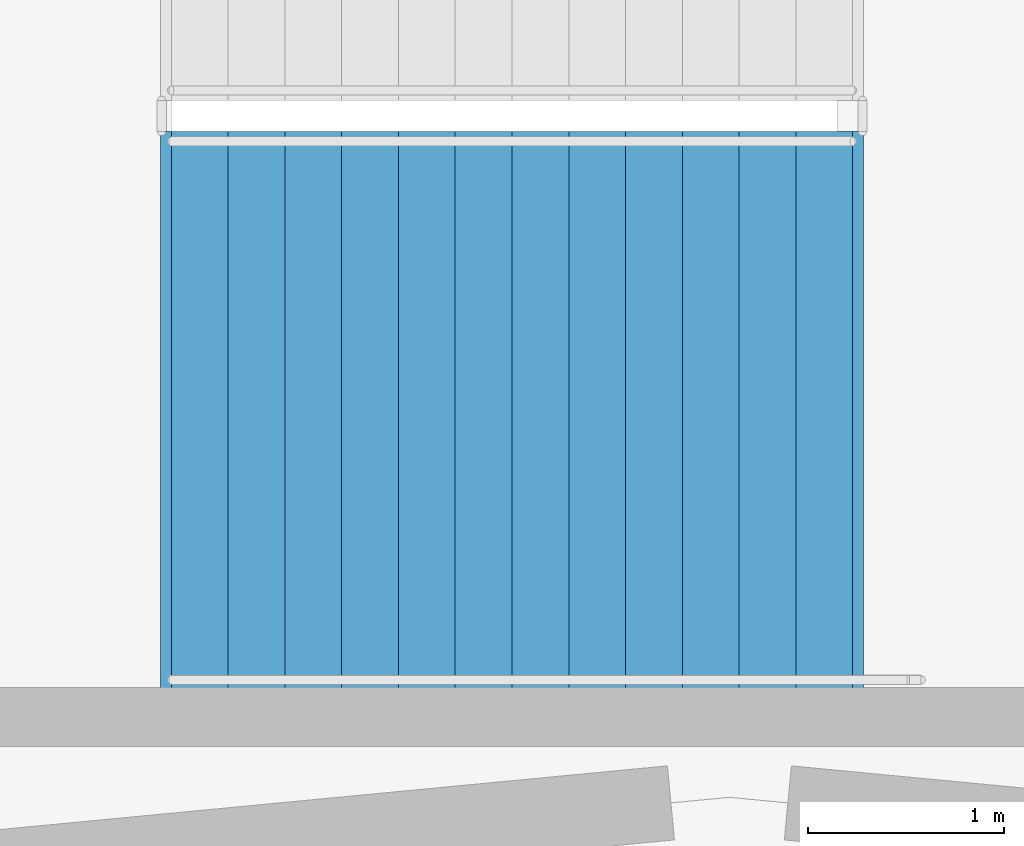
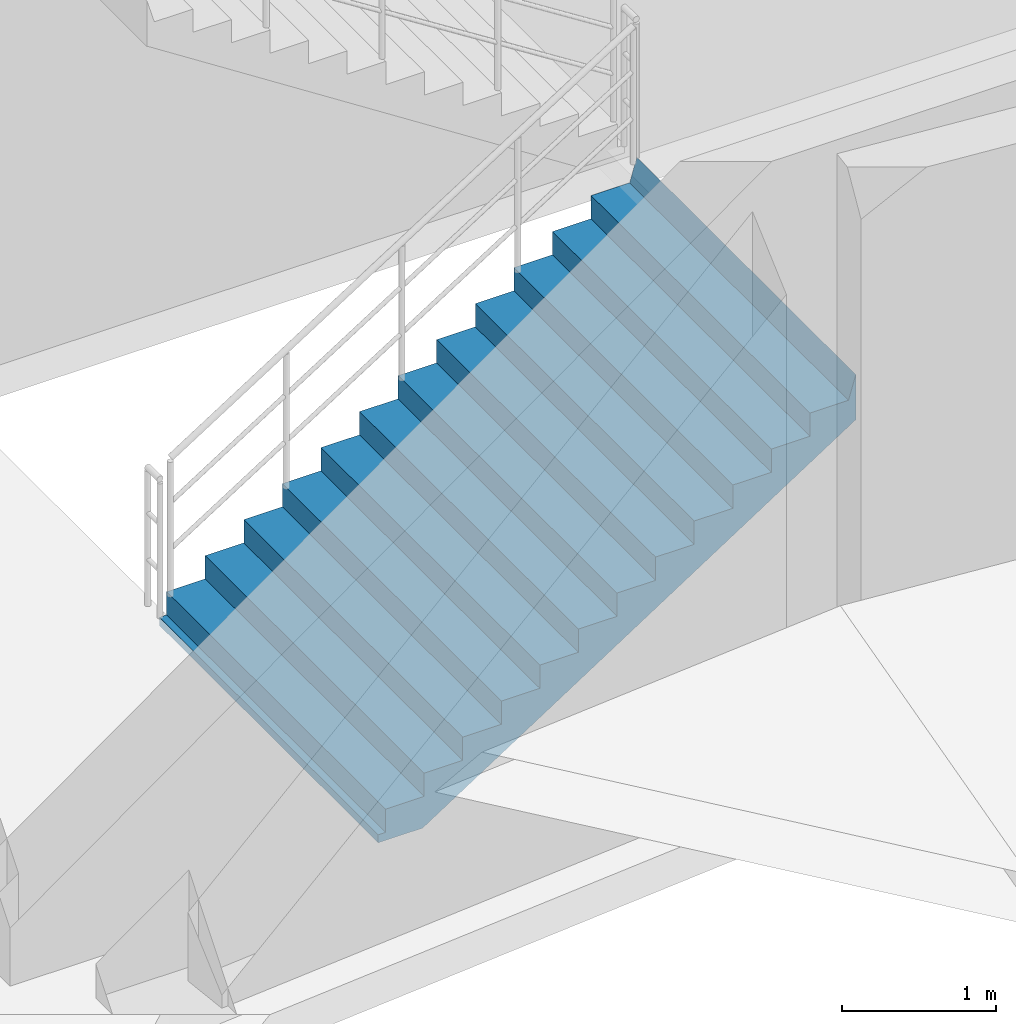
# One storey, part 120 of 144: 1 stair flight, 1 element without a shape of its own.
"""IFC4 building model written with IfcOpenShell, lengths in metres."""

from ifc_helpers import new_model, si_unit, direction, frame, origin, place, context, subcontext, project, spatial, polyline, outline, extrude, material, type_object, element, aggregate, save


model = new_model("IFC4")

# Units and contexts
model_context = context("Model", 3, precision=1e-05, world=origin(), true_north=direction((0.0, 1.0)))
body_context = subcontext(model_context, "Body", "Model", "MODEL_VIEW")
ifc_project = project(units=[si_unit("LENGTHUNIT", "METRE"), si_unit("AREAUNIT", "SQUARE_METRE"), si_unit("VOLUMEUNIT", "CUBIC_METRE"), si_unit("PLANEANGLEUNIT", "RADIAN"), si_unit("MASSUNIT", "GRAM", prefix="KILO")], contexts=[model_context])

# Site, building, storey
site_placement = place(None, origin())
site = spatial("IfcSite", under=ifc_project, at=site_placement, CompositionType="ELEMENT")
building_placement = place(site_placement, origin())
building = spatial("IfcBuilding", under=site, at=building_placement, Name="Cinderbank Siding Concert Hall", CompositionType="ELEMENT")
storey_placement = place(building_placement, frame((0.0, 0.0, 5.39990234375)))
storey = spatial("IfcBuildingStorey", under=building, at=storey_placement, Name="L02", CompositionType="ELEMENT", Elevation=5.39990234375)

# Stair, stair flight
ifc_material = material(Name="Reinforced concrete AS 3600 N50 (50 MPa)", Category="concrete")
stair_type = type_object("IfcStairType", Name="STR-J Dogleg Exit Stair 2850mm", PredefinedType="HALF_TURN_STAIR", material=ifc_material)
stair_placement = place(storey_placement, origin())
stair = element("IfcStair", 1, at=stair_placement, inside=storey, type_object=stair_type, Name="L02 Fire-isolated Exit Stair ST-01", PredefinedType="HALF_TURN_STAIR")
stair_flight_type = type_object("IfcStairFlightType", Name="SFL-J Concrete Stair Flight 2850mm", PredefinedType="STRAIGHT", material=ifc_material)
stair_flight_placement = place(storey_placement, frame((119.14990234375, 60.175048828125, 0.0), z_axis=(0.0, 0.0, 1.0), x_axis=(1.0, 0.0, 0.0)))
stair_flight = element("IfcStairFlight", 2, at=stair_flight_placement, type_object=stair_flight_type, Name="ST-01 flight 1", NumberOfRisers=13, NumberOfTreads=12, PredefinedType="STRAIGHT", RiserHeight=0.184615385, TreadLength=0.29, context=body_context, shape_type="SweptSolid", body=[
    extrude(outline(polyline([(0.0, 0.0), (0.0, 0.1845703125), (0.2900390625, 0.1845703125), (0.2900390625, 0.369140625), (0.580078125, 0.369140625), (0.580078125, 0.553955078125), (0.8701171875, 0.553955078125), (0.8701171875, 0.738525390625), (1.159912109375, 0.738525390625), (1.159912109375, 0.923095703125), (1.449951171875, 0.923095703125), (1.449951171875, 1.107666015625), (1.739990234375, 1.107666015625), (1.739990234375, 1.292236328125), (2.030029296875, 1.292236328125), (2.030029296875, 1.476806640625), (2.320068359375, 1.476806640625), (2.320068359375, 1.66162109375), (2.610107421875, 1.66162109375), (2.610107421875, 1.84619140625), (2.89990234375, 1.84619140625), (2.89990234375, 2.03076171875), (3.18994140625, 2.03076171875), (3.18994140625, 2.21533203125), (3.47998046875, 2.21533203125), (3.534912109375, 2.39990234375), (3.534912109375, 2.03759765625), (3.53466796875, 2.037841796875), (3.53466796875, 2.0380859375), (3.53466796875, 2.038330078125), (3.53466796875, 2.03857421875), (3.53466796875, 2.038818359375), (3.53466796875, 2.0390625), (3.53466796875, 2.039306640625), (3.53466796875, 2.03955078125), (3.53466796875, 2.039794921875), (3.53466796875, 2.0400390625), (3.53466796875, 2.040283203125), (3.53466796875, 2.04052734375), (3.534423828125, 2.04052734375), (3.534423828125, 2.040283203125), (3.534423828125, 2.0400390625), (3.534423828125, 2.039794921875), (3.534423828125, 2.03955078125), (3.534423828125, 2.039306640625), (3.534423828125, 2.0390625), (3.534423828125, 2.038818359375), (3.534423828125, 2.03857421875), (3.534423828125, 2.038330078125), (3.534423828125, 2.0380859375), (3.534423828125, 2.037841796875), (3.534423828125, 2.03759765625), (3.5341796875, 2.037841796875), (3.5341796875, 2.0380859375), (3.5341796875, 2.038330078125), (3.5341796875, 2.03857421875), (3.5341796875, 2.038818359375), (3.5341796875, 2.0390625), (3.5341796875, 2.039306640625), (3.5341796875, 2.03955078125), (3.5341796875, 2.039794921875), (3.5341796875, 2.0400390625), (3.5341796875, 2.040283203125), (3.5341796875, 2.04052734375), (3.533935546875, 2.04052734375), (3.533935546875, 2.040283203125), (3.533935546875, 2.0400390625), (3.533935546875, 2.039794921875), (3.533935546875, 2.03955078125), (3.533935546875, 2.039306640625), (3.533935546875, 2.0390625), (3.533935546875, 2.038818359375), (3.533935546875, 2.03857421875), (3.533935546875, 2.038330078125), (3.533935546875, 2.0380859375), (3.533935546875, 2.037841796875), (3.533935546875, 2.03759765625), (3.53369140625, 2.037841796875), (3.53369140625, 2.0380859375), (3.53369140625, 2.038330078125), (3.53369140625, 2.03857421875), (3.53369140625, 2.038818359375), (3.53369140625, 2.0390625), (3.53369140625, 2.039306640625), (3.53369140625, 2.03955078125), (3.53369140625, 2.039794921875), (3.53369140625, 2.0400390625), (3.53369140625, 2.040283203125), (3.53369140625, 2.04052734375), (3.533447265625, 2.04052734375), (3.533447265625, 2.040283203125), (3.533447265625, 2.0400390625), (3.533447265625, 2.039794921875), (3.533447265625, 2.03955078125), (3.533447265625, 2.039306640625), (3.533447265625, 2.0390625), (3.533447265625, 2.038818359375), (3.533447265625, 2.03857421875), (3.533447265625, 2.038330078125), (3.533447265625, 2.0380859375), (3.533447265625, 2.037841796875), (3.533447265625, 2.03759765625), (3.533203125, 2.037841796875), (3.533203125, 2.0380859375), (3.533203125, 2.038330078125), (3.533203125, 2.03857421875), (3.533203125, 2.038818359375), (3.533203125, 2.0390625), (3.533203125, 2.039306640625), (3.533203125, 2.03955078125), (3.533203125, 2.039794921875), (3.533203125, 2.0400390625), (3.533203125, 2.040283203125), (3.533203125, 2.04052734375), (3.532958984375, 2.04052734375), (3.532958984375, 2.040283203125), (3.532958984375, 2.0400390625), (3.532958984375, 2.039794921875), (3.532958984375, 2.03955078125), (3.532958984375, 2.039306640625), (3.532958984375, 2.0390625), (3.532958984375, 2.038818359375), (3.532958984375, 2.03857421875), (3.532958984375, 2.038330078125), (3.532958984375, 2.0380859375), (3.532958984375, 2.037841796875), (3.532958984375, 2.03759765625), (3.53271484375, 2.037841796875), (3.53271484375, 2.0380859375), (3.53271484375, 2.038330078125), (3.53271484375, 2.03857421875), (3.53271484375, 2.038818359375), (3.53271484375, 2.0390625), (3.53271484375, 2.039306640625), (3.53271484375, 2.03955078125), (3.53271484375, 2.039794921875), (3.53271484375, 2.0400390625), (3.53271484375, 2.040283203125), (3.53271484375, 2.04052734375), (3.532470703125, 2.04052734375), (3.532470703125, 2.040283203125), (3.532470703125, 2.0400390625), (3.532470703125, 2.039794921875), (3.532470703125, 2.03955078125), (3.532470703125, 2.039306640625), (3.532470703125, 2.0390625), (3.532470703125, 2.038818359375), (3.532470703125, 2.03857421875), (3.532470703125, 2.038330078125), (3.532470703125, 2.0380859375), (3.532470703125, 2.037841796875), (3.532470703125, 2.03759765625), (3.5322265625, 2.037841796875), (3.5322265625, 2.0380859375), (3.5322265625, 2.038330078125), (3.5322265625, 2.03857421875), (3.5322265625, 2.038818359375), (3.5322265625, 2.0390625), (3.5322265625, 2.039306640625), (3.5322265625, 2.03955078125), (3.5322265625, 2.039794921875), (3.5322265625, 2.0400390625), (3.5322265625, 2.040283203125), (3.5322265625, 2.04052734375), (3.531982421875, 2.04052734375), (3.531982421875, 2.040283203125), (3.531982421875, 2.0400390625), (3.531982421875, 2.039794921875), (3.531982421875, 2.03955078125), (3.531982421875, 2.039306640625), (3.531982421875, 2.0390625), (3.531982421875, 2.038818359375), (3.531982421875, 2.03857421875), (3.531982421875, 2.038330078125), (3.531982421875, 2.0380859375), (3.531982421875, 2.037841796875), (3.531982421875, 2.03759765625), (3.53173828125, 2.037841796875), (3.53173828125, 2.0380859375), (3.53173828125, 2.038330078125), (3.53173828125, 2.03857421875), (3.53173828125, 2.038818359375), (3.53173828125, 2.0390625), (3.53173828125, 2.039306640625), (3.53173828125, 2.03955078125), (3.53173828125, 2.039794921875), (3.53173828125, 2.0400390625), (3.53173828125, 2.040283203125), (3.53173828125, 2.04052734375), (3.531494140625, 2.04052734375), (3.531494140625, 2.040283203125), (3.531494140625, 2.0400390625), (3.531494140625, 2.039794921875), (3.531494140625, 2.03955078125), (3.531494140625, 2.039306640625), (3.531494140625, 2.0390625), (3.531494140625, 2.038818359375), (3.531494140625, 2.03857421875), (3.531494140625, 2.038330078125), (3.531494140625, 2.0380859375), (3.531494140625, 2.037841796875), (3.531494140625, 2.03759765625), (3.53125, 2.037841796875), (3.53125, 2.0380859375), (3.53125, 2.038330078125), (3.53125, 2.03857421875), (3.53125, 2.038818359375), (3.53125, 2.0390625), (3.53125, 2.039306640625), (3.53125, 2.03955078125), (3.53125, 2.039794921875), (3.53125, 2.0400390625), (3.53125, 2.040283203125), (3.53125, 2.04052734375), (3.531005859375, 2.04052734375), (3.531005859375, 2.040283203125), (3.531005859375, 2.0400390625), (3.531005859375, 2.039794921875), (3.531005859375, 2.03955078125), (3.531005859375, 2.039306640625), (3.531005859375, 2.0390625), (3.531005859375, 2.038818359375), (3.531005859375, 2.03857421875), (3.531005859375, 2.038330078125), (3.531005859375, 2.0380859375), (3.531005859375, 2.037841796875), (3.531005859375, 2.03759765625), (3.53076171875, 2.037841796875), (3.53076171875, 2.0380859375), (3.53076171875, 2.038330078125), (3.53076171875, 2.03857421875), (3.53076171875, 2.038818359375), (3.53076171875, 2.0390625), (3.53076171875, 2.039306640625), (3.53076171875, 2.03955078125), (3.53076171875, 2.039794921875), (3.53076171875, 2.0400390625), (3.53076171875, 2.040283203125), (3.53076171875, 2.04052734375), (3.530517578125, 2.04052734375), (3.530517578125, 2.040283203125), (3.530517578125, 2.0400390625), (3.530517578125, 2.039794921875), (3.530517578125, 2.03955078125), (3.530517578125, 2.039306640625), (3.530517578125, 2.0390625), (3.530517578125, 2.038818359375), (3.530517578125, 2.03857421875), (3.530517578125, 2.038330078125), (3.530517578125, 2.0380859375), (3.530517578125, 2.037841796875), (3.530517578125, 2.03759765625), (3.5302734375, 2.037841796875), (3.5302734375, 2.0380859375), (3.5302734375, 2.038330078125), (3.5302734375, 2.03857421875), (3.5302734375, 2.038818359375), (3.5302734375, 2.0390625), (3.5302734375, 2.039306640625), (3.5302734375, 2.03955078125), (3.5302734375, 2.039794921875), (3.5302734375, 2.0400390625), (3.5302734375, 2.040283203125), (3.5302734375, 2.04052734375), (3.530029296875, 2.04052734375), (3.530029296875, 2.040283203125), (3.530029296875, 2.0400390625), (3.530029296875, 2.039794921875), (3.530029296875, 2.03955078125), (3.530029296875, 2.039306640625), (3.530029296875, 2.0390625), (3.530029296875, 2.038818359375), (3.530029296875, 2.03857421875), (3.530029296875, 2.038330078125), (3.530029296875, 2.0380859375), (3.530029296875, 2.037841796875), (3.530029296875, 2.03759765625), (3.52978515625, 2.037841796875), (3.52978515625, 2.0380859375), (3.52978515625, 2.038330078125), (3.52978515625, 2.03857421875), (3.52978515625, 2.038818359375), (3.52978515625, 2.0390625), (3.52978515625, 2.039306640625), (3.52978515625, 2.03955078125), (3.52978515625, 2.039794921875), (3.52978515625, 2.0400390625), (3.52978515625, 2.040283203125), (3.52978515625, 2.04052734375), (3.529541015625, 2.04052734375), (3.529541015625, 2.040283203125), (3.529541015625, 2.0400390625), (3.529541015625, 2.039794921875), (3.529541015625, 2.03955078125), (3.529541015625, 2.039306640625), (3.529541015625, 2.0390625), (3.529541015625, 2.038818359375), (3.529541015625, 2.03857421875), (3.529541015625, 2.038330078125), (3.529541015625, 2.0380859375), (3.529541015625, 2.037841796875), (3.529541015625, 2.03759765625), (3.529296875, 2.037841796875), (3.529296875, 2.0380859375), (3.529296875, 2.038330078125), (3.529296875, 2.03857421875), (3.529296875, 2.038818359375), (3.529296875, 2.0390625), (3.529296875, 2.039306640625), (3.529296875, 2.03955078125), (3.529296875, 2.039794921875), (3.529296875, 2.0400390625), (3.529296875, 2.040283203125), (3.529296875, 2.04052734375), (3.529052734375, 2.04052734375), (3.529052734375, 2.040283203125), (3.529052734375, 2.0400390625), (3.529052734375, 2.039794921875), (3.529052734375, 2.03955078125), (3.529052734375, 2.039306640625), (3.529052734375, 2.0390625), (3.529052734375, 2.038818359375), (3.529052734375, 2.03857421875), (3.529052734375, 2.038330078125), (3.529052734375, 2.0380859375), (3.529052734375, 2.037841796875), (3.529052734375, 2.03759765625), (3.52880859375, 2.037841796875), (3.52880859375, 2.0380859375), (3.52880859375, 2.038330078125), (3.52880859375, 2.03857421875), (3.52880859375, 2.038818359375), (3.52880859375, 2.0390625), (3.52880859375, 2.039306640625), (3.52880859375, 2.03955078125), (3.52880859375, 2.039794921875), (3.52880859375, 2.0400390625), (3.52880859375, 2.040283203125), (3.52880859375, 2.04052734375), (3.528564453125, 2.04052734375), (3.528564453125, 2.040283203125), (3.528564453125, 2.0400390625), (3.528564453125, 2.039794921875), (3.528564453125, 2.03955078125), (3.528564453125, 2.039306640625), (3.528564453125, 2.0390625), (3.528564453125, 2.038818359375), (3.528564453125, 2.03857421875), (3.528564453125, 2.038330078125), (3.528564453125, 2.0380859375), (3.528564453125, 2.037841796875), (3.528564453125, 2.03759765625), (0.279052734375, -0.06396484375), (-0.048583984375, -0.063720703125), (-0.048583984375, -0.0634765625), (-0.048583984375, -0.063232421875), (-0.048583984375, -0.06298828125), (-0.048583984375, -0.062744140625), (-0.048583984375, -0.0625), (-0.048583984375, -0.062255859375), (-0.048583984375, -0.06201171875), (-0.048583984375, -0.061767578125), (-0.048583984375, -0.0615234375), (-0.048583984375, -0.061279296875), (-0.048583984375, -0.06103515625), (-0.048828125, -0.06103515625), (-0.048828125, -0.061279296875), (-0.048828125, -0.0615234375), (-0.048828125, -0.061767578125), (-0.048828125, -0.06201171875), (-0.048828125, -0.062255859375), (-0.048828125, -0.0625), (-0.048828125, -0.062744140625), (-0.048828125, -0.06298828125), (-0.048828125, -0.063232421875), (-0.048828125, -0.0634765625), (-0.048828125, -0.063720703125), (-0.048828125, -0.06396484375), (-0.049072265625, -0.063720703125), (-0.049072265625, -0.0634765625), (-0.049072265625, -0.063232421875), (-0.049072265625, -0.06298828125), (-0.049072265625, -0.062744140625), (-0.049072265625, -0.0625), (-0.049072265625, -0.062255859375), (-0.049072265625, -0.06201171875), (-0.049072265625, -0.061767578125), (-0.049072265625, -0.0615234375), (-0.049072265625, -0.061279296875), (-0.049072265625, -0.06103515625), (-0.04931640625, -0.06103515625), (-0.04931640625, -0.061279296875), (-0.04931640625, -0.0615234375), (-0.04931640625, -0.061767578125), (-0.04931640625, -0.06201171875), (-0.04931640625, -0.062255859375), (-0.04931640625, -0.0625), (-0.04931640625, -0.062744140625), (-0.04931640625, -0.06298828125), (-0.04931640625, -0.063232421875), (-0.04931640625, -0.0634765625), (-0.04931640625, -0.063720703125), (-0.04931640625, -0.06396484375), (-0.049560546875, -0.063720703125), (-0.049560546875, -0.0634765625), (-0.049560546875, -0.063232421875), (-0.049560546875, -0.06298828125), (-0.049560546875, -0.062744140625), (-0.049560546875, -0.0625), (-0.049560546875, -0.062255859375), (-0.049560546875, -0.06201171875), (-0.049560546875, -0.061767578125), (-0.049560546875, -0.0615234375), (-0.049560546875, -0.061279296875), (-0.049560546875, -0.06103515625), (-0.0498046875, -0.06103515625), (-0.0498046875, -0.061279296875), (-0.0498046875, -0.0615234375), (-0.0498046875, -0.061767578125), (-0.0498046875, -0.06201171875), (-0.0498046875, -0.062255859375), (-0.0498046875, -0.0625), (-0.0498046875, -0.062744140625), (-0.0498046875, -0.06298828125), (-0.0498046875, -0.063232421875), (-0.0498046875, -0.0634765625), (-0.0498046875, -0.063720703125), (-0.0498046875, -0.06396484375), (-0.050048828125, -0.063720703125), (-0.050048828125, -0.0634765625), (-0.050048828125, -0.063232421875), (-0.050048828125, -0.06298828125), (-0.050048828125, -0.062744140625), (-0.050048828125, -0.0625), (-0.050048828125, -0.062255859375), (-0.050048828125, -0.06201171875), (-0.050048828125, -0.061767578125), (-0.050048828125, -0.0615234375), (-0.050048828125, -0.061279296875), (-0.050048828125, -0.06103515625), (-0.05029296875, -0.06103515625), (-0.05029296875, -0.061279296875), (-0.05029296875, -0.0615234375), (-0.05029296875, -0.061767578125), (-0.05029296875, -0.06201171875), (-0.05029296875, -0.062255859375), (-0.05029296875, -0.0625), (-0.05029296875, -0.062744140625), (-0.05029296875, -0.06298828125), (-0.05029296875, -0.063232421875), (-0.05029296875, -0.0634765625), (-0.05029296875, -0.063720703125), (-0.05029296875, -0.06396484375), (-0.050537109375, -0.063720703125), (-0.050537109375, -0.0634765625), (-0.050537109375, -0.063232421875), (-0.050537109375, -0.06298828125), (-0.050537109375, -0.062744140625), (-0.050537109375, -0.0625), (-0.050537109375, -0.062255859375), (-0.050537109375, -0.06201171875), (-0.050537109375, -0.061767578125), (-0.050537109375, -0.0615234375), (-0.050537109375, -0.061279296875), (-0.050537109375, -0.06103515625), (-0.05078125, -0.06103515625), (-0.05078125, -0.061279296875), (-0.05078125, -0.0615234375), (-0.05078125, -0.061767578125), (-0.05078125, -0.06201171875), (-0.05078125, -0.062255859375), (-0.05078125, -0.0625), (-0.05078125, -0.062744140625), (-0.05078125, -0.06298828125), (-0.05078125, -0.063232421875), (-0.05078125, -0.0634765625), (-0.05078125, -0.063720703125), (-0.05078125, -0.06396484375), (-0.051025390625, -0.063720703125), (-0.051025390625, -0.0634765625), (-0.051025390625, -0.063232421875), (-0.051025390625, -0.06298828125), (-0.051025390625, -0.062744140625), (-0.051025390625, -0.0625), (-0.051025390625, -0.062255859375), (-0.051025390625, -0.06201171875), (-0.051025390625, -0.061767578125), (-0.051025390625, -0.0615234375), (-0.051025390625, -0.061279296875), (-0.051025390625, -0.06103515625), (-0.05126953125, -0.06103515625), (-0.05126953125, -0.061279296875), (-0.05126953125, -0.0615234375), (-0.05126953125, -0.061767578125), (-0.05126953125, -0.06201171875), (-0.05126953125, -0.062255859375), (-0.05126953125, -0.0625), (-0.05126953125, -0.062744140625), (-0.05126953125, -0.06298828125), (-0.05126953125, -0.063232421875), (-0.05126953125, -0.0634765625), (-0.05126953125, -0.063720703125), (-0.05126953125, -0.06396484375), (-0.051513671875, -0.063720703125), (-0.051513671875, -0.0634765625), (-0.051513671875, -0.063232421875), (-0.051513671875, -0.06298828125), (-0.051513671875, -0.062744140625), (-0.051513671875, -0.0625), (-0.051513671875, -0.062255859375), (-0.051513671875, -0.06201171875), (-0.051513671875, -0.061767578125), (-0.051513671875, -0.0615234375), (-0.051513671875, -0.061279296875), (-0.051513671875, -0.06103515625), (-0.0517578125, -0.06103515625), (-0.0517578125, -0.061279296875), (-0.0517578125, -0.0615234375), (-0.0517578125, -0.061767578125), (-0.0517578125, -0.06201171875), (-0.0517578125, -0.062255859375), (-0.0517578125, -0.0625), (-0.0517578125, -0.062744140625), (-0.0517578125, -0.06298828125), (-0.0517578125, -0.063232421875), (-0.0517578125, -0.0634765625), (-0.0517578125, -0.063720703125), (-0.0517578125, -0.06396484375), (-0.052001953125, -0.063720703125), (-0.052001953125, -0.0634765625), (-0.052001953125, -0.063232421875), (-0.052001953125, -0.06298828125), (-0.052001953125, -0.062744140625), (-0.052001953125, -0.0625), (-0.052001953125, -0.062255859375), (-0.052001953125, -0.06201171875), (-0.052001953125, -0.061767578125), (-0.052001953125, -0.0615234375), (-0.052001953125, -0.061279296875), (-0.052001953125, -0.06103515625), (-0.05224609375, -0.06103515625), (-0.05224609375, -0.061279296875), (-0.05224609375, -0.0615234375), (-0.05224609375, -0.061767578125), (-0.05224609375, -0.06201171875), (-0.05224609375, -0.062255859375), (-0.05224609375, -0.0625), (-0.05224609375, -0.062744140625), (-0.05224609375, -0.06298828125), (-0.05224609375, -0.063232421875), (-0.05224609375, -0.0634765625), (-0.05224609375, -0.063720703125), (-0.05224609375, -0.06396484375), (-0.052490234375, -0.063720703125), (-0.052490234375, -0.0634765625), (-0.052490234375, -0.063232421875), (-0.052490234375, -0.06298828125), (-0.052490234375, -0.062744140625), (-0.052490234375, -0.0625), (-0.052490234375, -0.062255859375), (-0.052490234375, -0.06201171875), (-0.052490234375, -0.061767578125), (-0.052490234375, -0.0615234375), (-0.052490234375, -0.061279296875), (-0.052490234375, -0.06103515625), (-0.052734375, -0.06103515625), (-0.052734375, -0.061279296875), (-0.052734375, -0.0615234375), (-0.052734375, -0.061767578125), (-0.052734375, -0.06201171875), (-0.052734375, -0.062255859375), (-0.052734375, -0.0625), (-0.052734375, -0.062744140625), (-0.052734375, -0.06298828125), (-0.052734375, -0.063232421875), (-0.052734375, -0.0634765625), (-0.052734375, -0.063720703125), (-0.052734375, -0.06396484375), (-0.052978515625, -0.063720703125), (-0.052978515625, -0.0634765625), (-0.052978515625, -0.063232421875), (-0.052978515625, -0.06298828125), (-0.052978515625, -0.062744140625), (-0.052978515625, -0.0625), (-0.052978515625, -0.062255859375), (-0.052978515625, -0.06201171875), (-0.052978515625, -0.061767578125), (-0.052978515625, -0.0615234375), (-0.052978515625, -0.061279296875), (-0.052978515625, -0.06103515625), (-0.05322265625, -0.06103515625), (-0.05322265625, -0.061279296875), (-0.05322265625, -0.0615234375), (-0.05322265625, -0.061767578125), (-0.05322265625, -0.06201171875), (-0.05322265625, -0.062255859375), (-0.05322265625, -0.0625), (-0.05322265625, -0.062744140625), (-0.05322265625, -0.06298828125), (-0.05322265625, -0.063232421875), (-0.05322265625, -0.0634765625), (-0.05322265625, -0.063720703125), (-0.05322265625, -0.06396484375), (-0.053466796875, -0.063720703125), (-0.053466796875, -0.0634765625), (-0.053466796875, -0.063232421875), (-0.053466796875, -0.06298828125), (-0.053466796875, -0.062744140625), (-0.053466796875, -0.0625), (-0.053466796875, -0.062255859375), (-0.053466796875, -0.06201171875), (-0.053466796875, -0.061767578125), (-0.053466796875, -0.0615234375), (-0.053466796875, -0.061279296875), (-0.053466796875, -0.06103515625), (-0.0537109375, -0.06103515625), (-0.0537109375, -0.061279296875), (-0.0537109375, -0.0615234375), (-0.0537109375, -0.061767578125), (-0.0537109375, -0.06201171875), (-0.0537109375, -0.062255859375), (-0.0537109375, -0.0625), (-0.0537109375, -0.062744140625), (-0.0537109375, -0.06298828125), (-0.0537109375, -0.063232421875), (-0.0537109375, -0.0634765625), (-0.0537109375, -0.063720703125), (-0.0537109375, -0.06396484375), (-0.053955078125, -0.063720703125), (-0.053955078125, -0.0634765625), (-0.053955078125, -0.063232421875), (-0.053955078125, -0.06298828125), (-0.053955078125, -0.062744140625), (-0.053955078125, -0.0625), (-0.053955078125, -0.062255859375), (-0.053955078125, -0.06201171875), (-0.053955078125, -0.061767578125), (-0.053955078125, -0.0615234375), (-0.053955078125, -0.061279296875), (-0.053955078125, -0.06103515625), (-0.05419921875, -0.06103515625), (-0.05419921875, -0.061279296875), (-0.05419921875, -0.0615234375), (-0.05419921875, -0.061767578125), (-0.05419921875, -0.06201171875), (-0.05419921875, -0.062255859375), (-0.05419921875, -0.0625), (-0.05419921875, -0.062744140625), (-0.05419921875, -0.06298828125), (-0.05419921875, -0.063232421875), (-0.05419921875, -0.0634765625), (-0.05419921875, -0.063720703125), (-0.05419921875, -0.06396484375), (-0.054443359375, -0.063720703125), (-0.054443359375, -0.0634765625), (-0.054443359375, -0.063232421875), (-0.054443359375, -0.06298828125), (-0.054443359375, -0.062744140625), (-0.054443359375, -0.0625), (-0.054443359375, -0.062255859375), (-0.054443359375, -0.06201171875), (-0.054443359375, -0.061767578125), (-0.054443359375, -0.0615234375), (-0.054443359375, -0.061279296875), (-0.054443359375, -0.06103515625), (-0.0546875, -0.06103515625), (-0.0546875, -0.061279296875), (-0.0546875, -0.0615234375), (-0.0546875, -0.061767578125), (-0.0546875, -0.06201171875), (-0.0546875, -0.062255859375), (-0.0546875, -0.0625), (-0.0546875, -0.062744140625), (-0.0546875, -0.06298828125), (-0.0546875, -0.063232421875), (-0.0546875, -0.0634765625), (-0.0546875, -0.063720703125), (-0.0546875, -0.06396484375), (-0.054931640625, -0.06396484375), (-0.054931640625, 0.0), (0.0, 0.0)])), frame((0.0, 1.425048828125, 0.0), z_axis=(0.0, -1.0, 0.0), x_axis=(1.0, 0.0, 0.0)), (0.0, 0.0, 1.0), 2.85009765625),
])
aggregate(stair, [stair_flight])

save(model, "model.ifc")
